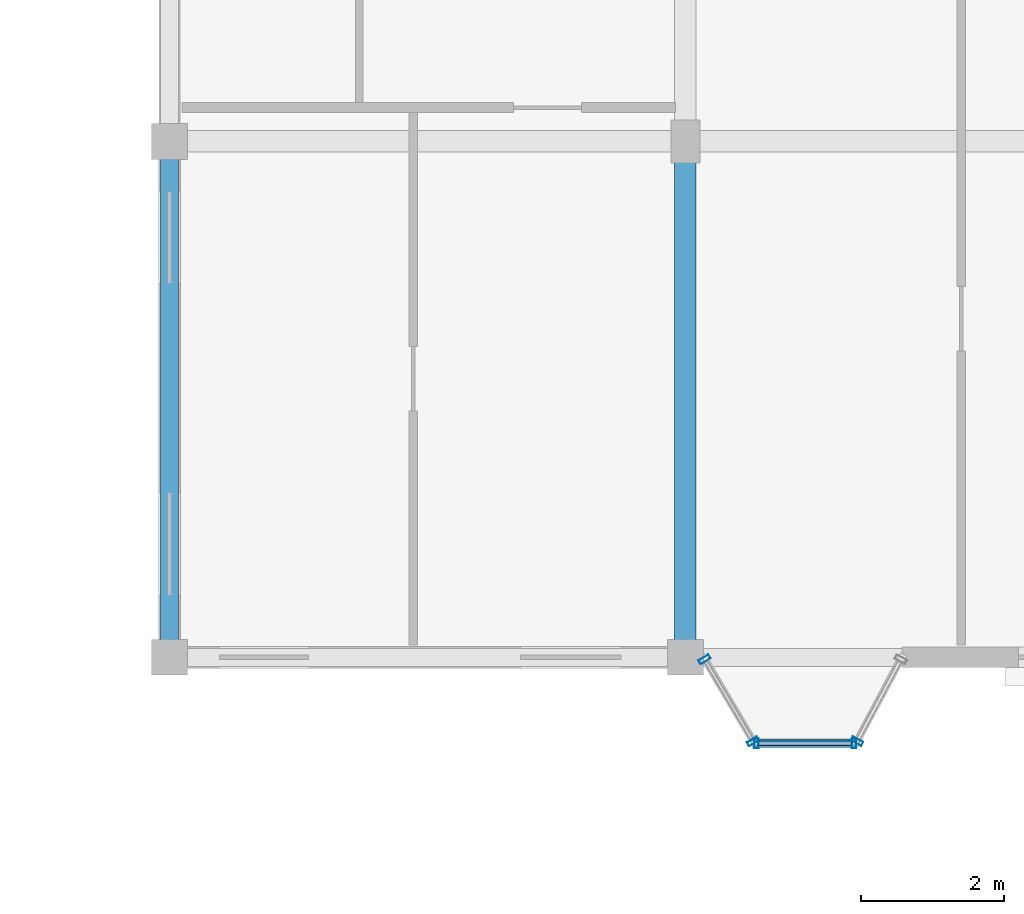
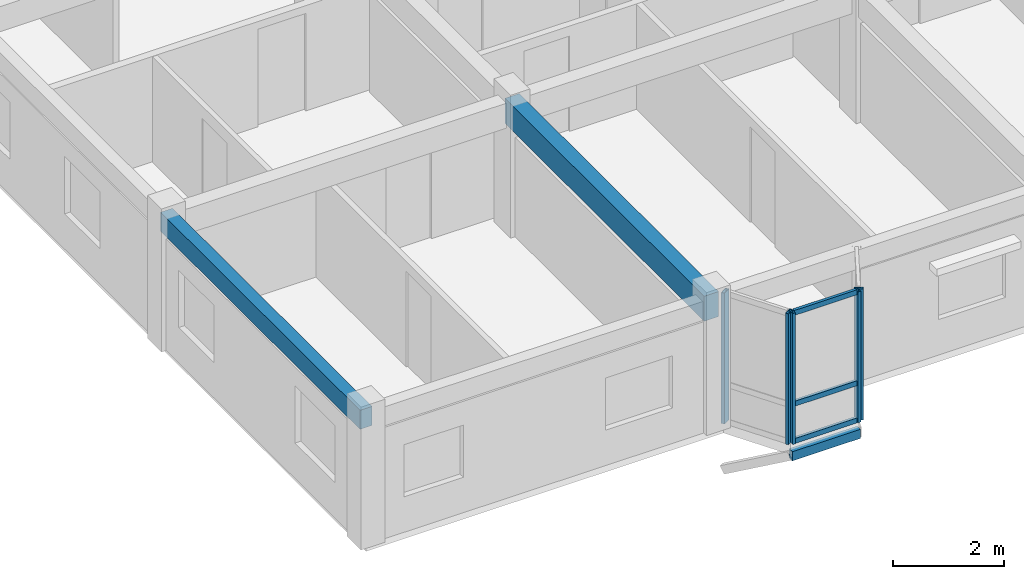
# One storey, part 27 of 65: 9 members, 2 beams, 3 elements without a shape of their own.
"""IFC4 building model written with IfcOpenShell, lengths in metres."""

from ifc_helpers import new_model, si_unit, direction, frame, origin, origin_2d, place, context, subcontext, project, spatial, rectangle, hollow_rectangle, extrude, material, layer, layer_set, material_profile, profile_set, type_object, element, aggregate, save


model = new_model("IFC4")

# Units and contexts
model_context = context("Model", 3, precision=1e-05, world=origin(), true_north=direction((0.0, 1.0)))
body_context = subcontext(model_context, "Body", "Model", "MODEL_VIEW")
ifc_project = project(units=[si_unit("LENGTHUNIT", "METRE"), si_unit("AREAUNIT", "SQUARE_METRE"), si_unit("VOLUMEUNIT", "CUBIC_METRE"), si_unit("PLANEANGLEUNIT", "RADIAN"), si_unit("MASSUNIT", "GRAM", prefix="KILO"), si_unit("THERMODYNAMICTEMPERATUREUNIT", "KELVIN"), si_unit("POWERUNIT", "WATT")], contexts=[model_context])

# Site, building, storey
site_placement = place(None, origin())
site = spatial("IfcSite", under=ifc_project, at=site_placement, CompositionType="ELEMENT")
building_placement = place(site_placement, origin())
building = spatial("IfcBuilding", under=site, at=building_placement, Name="Tavuni Mirador Residences", CompositionType="ELEMENT")
storey_placement = place(building_placement, frame((0.0, 0.0, 29.699951171875)))
storey = spatial("IfcBuildingStorey", under=building, at=storey_placement, Name="L09", CompositionType="ELEMENT", Elevation=29.699951171875)

# Beams
ifc_material_1 = material(Name="Precast concrete C40/50", Category="concrete")
ifc_material_profile_1 = material_profile(ifc_material_1, rectangle(XDim=0.300048828125, YDim=0.550048828125, at=origin_2d()), Name="PC 300x550", Category="concrete")
ifc_profile_set_1 = profile_set([ifc_material_profile_1], Name="Precast concrete C40/50")
beam_type_1 = type_object("IfcBeamType", Name="BT-B550", PredefinedType="BEAM", material=ifc_profile_set_1)
beam_1_placement = place(storey_placement, frame((18.0, 144.0, 2.610107421875), z_axis=(0.0, 1.0, 0.0), x_axis=(-1.0, 0.0, 0.0)))
element("IfcBeam", 1, at=beam_1_placement, inside=storey, type_object=beam_type_1, Name="BMY-BLK-C-L09-01-00", PredefinedType="BEAM", context=body_context, shape_type="SweptSolid", body=[
    extrude(rectangle(XDim=0.300048828125, YDim=0.550048828125, at=origin_2d()), origin(), (0.0, 0.0, 1.0), 7.199951171875),
])
ifc_material_profile_2 = material_profile(ifc_material_1, rectangle(XDim=0.25, YDim=0.419921875, at=origin_2d()), Name="PC 250x420", Category="concrete")
ifc_profile_set_2 = profile_set([ifc_material_profile_2], Name="Precast concrete C40/50")
beam_type_2 = type_object("IfcBeamType", Name="BT-SP420", PredefinedType="SPANDREL", material=ifc_profile_set_2)
beam_2_placement = place(storey_placement, frame((10.800048828125, 144.0, 2.675048828125), z_axis=(0.0, 1.0, 0.0), x_axis=(-1.0, 0.0, 0.0)))
element("IfcBeam", 2, at=beam_2_placement, inside=storey, type_object=beam_type_2, Name="BMY-BLK-C-L09-00-00", PredefinedType="SPANDREL", context=body_context, shape_type="SweptSolid", body=[
    extrude(rectangle(XDim=0.25, YDim=0.419921875, at=origin_2d()), origin(), (0.0, 0.0, 1.0), 7.199951171875),
])

# Curtain wall, members
ifc_material_2 = material(Name="Anodised aluminium", Category="aluminium")
ifc_layer_1 = layer(ifc_material_2, 0.175048828125, Name="Anodised aluminium", Category="aluminium")
ifc_layer_set_1 = layer_set([ifc_layer_1], Name="Anodised aluminium")
curtain_wall_type_1 = type_object("IfcCurtainWallType", Name="CWT-MIR-C", PredefinedType="NOTDEFINED", material=ifc_layer_set_1)
curtain_wall_1_placement = place(storey_placement, origin())
curtain_wall_1 = element("IfcCurtainWall", 3, at=curtain_wall_1_placement, inside=storey, type_object=curtain_wall_type_1, Name="CW-MIR-C-S1-L09-MF", PredefinedType="NOTDEFINED")
ifc_material_profile_3 = material_profile(ifc_material_2, hollow_rectangle(XDim=0.06005859375, YDim=0.139892578125, WallThickness=0.00390625, at=origin_2d()), Name="ALU 60x140x4.0", Category="aluminium")
ifc_profile_set_3 = profile_set([ifc_material_profile_3], Name="Anodised aluminium")
member_type_1 = type_object("IfcMemberType", Name="CWM-140", PredefinedType="MULLION", material=ifc_profile_set_3)
member_1_placement = place(storey_placement, frame((18.989990234375, 142.800048828125, 0.0), z_axis=(0.0, 0.0, 1.0), x_axis=(1.0, 0.0, 0.0)))
member_1 = element("IfcMember", 4, at=member_1_placement, type_object=member_type_1, Name="CW-03 mullion 1", PredefinedType="MULLION", context=body_context, shape_type="SweptSolid", body=[
    extrude(hollow_rectangle(XDim=0.06005859375, YDim=0.139892578125, WallThickness=0.00390625, at=origin_2d()), origin(), (0.0, 0.0, 1.0), 2.885009765625),
])
member_2_placement = place(storey_placement, frame((20.35009765625, 142.800048828125, 0.0), z_axis=(0.0, 0.0, 1.0), x_axis=(1.0, 0.0, 0.0)))
member_2 = element("IfcMember", 5, at=member_2_placement, type_object=member_type_1, Name="CW-03 mullion 2", PredefinedType="MULLION", context=body_context, shape_type="SweptSolid", body=[
    extrude(hollow_rectangle(XDim=0.06005859375, YDim=0.139892578125, WallThickness=0.00390625, at=origin_2d()), origin(), (0.0, 0.0, 1.0), 2.885009765625),
])

ifc_layer_2 = layer(ifc_material_2, 0.14990234375, Name="Anodised aluminium", Category="aluminium")
ifc_layer_set_2 = layer_set([ifc_layer_2], Name="Anodised aluminium")
curtain_wall_type_2 = type_object("IfcCurtainWallType", Name="CWT-MIR-B", PredefinedType="NOTDEFINED", material=ifc_layer_set_2)
curtain_wall_2_placement = place(storey_placement, origin())
curtain_wall_2 = element("IfcCurtainWall", 6, at=curtain_wall_2_placement, inside=storey, type_object=curtain_wall_type_2, Name="CW-MIR-C-S1-L09-M1", PredefinedType="NOTDEFINED")
ifc_material_profile_4 = material_profile(ifc_material_2, hollow_rectangle(XDim=0.06494140625, YDim=0.1650390625, WallThickness=0.00439453125, at=origin_2d()), Name="ALU 65x165x4.5", Category="aluminium")
ifc_profile_set_4 = profile_set([ifc_material_profile_4], Name="Anodised aluminium")
member_type_2 = type_object("IfcMemberType", Name="CWM-165", PredefinedType="MULLION", material=ifc_profile_set_4)
member_3_placement = place(storey_placement, frame((18.2666015625, 143.971923828125, 0.0), z_axis=(0.0, 0.0, 1.0), x_axis=(0.509212491254, -0.860640830284, 0.0)))
member_3 = element("IfcMember", 7, at=member_3_placement, type_object=member_type_2, Name="CW-02 mullion 1", PredefinedType="MULLION", context=body_context, shape_type="SweptSolid", body=[
    extrude(hollow_rectangle(XDim=0.06494140625, YDim=0.1650390625, WallThickness=0.00439453125, at=origin_2d()), origin(), (0.0, 0.0, 1.0), 2.885009765625),
])
member_4_placement = place(storey_placement, frame((18.943359375, 142.827880859375, 0.0), z_axis=(0.0, 0.0, 1.0), x_axis=(0.509212491254, -0.860640830284, 0.0)))
member_4 = element("IfcMember", 8, at=member_4_placement, type_object=member_type_2, Name="CW-02 mullion 2", PredefinedType="MULLION", context=body_context, shape_type="SweptSolid", body=[
    extrude(hollow_rectangle(XDim=0.06494140625, YDim=0.1650390625, WallThickness=0.00439453125, at=origin_2d()), origin(), (0.0, 0.0, 1.0), 2.885009765625),
])
aggregate(curtain_wall_2, [member_3, member_4])

# Curtain wall, member
ifc_layer_3 = layer(ifc_material_2, 0.159912109375, Name="Anodised aluminium", Category="aluminium")
ifc_layer_set_3 = layer_set([ifc_layer_3], Name="Anodised aluminium")
curtain_wall_type_3 = type_object("IfcCurtainWallType", Name="CWT-MIR-D", PredefinedType="NOTDEFINED", material=ifc_layer_set_3)
curtain_wall_3_placement = place(storey_placement, origin())
curtain_wall_3 = element("IfcCurtainWall", 9, at=curtain_wall_3_placement, inside=storey, type_object=curtain_wall_type_3, Name="CW-MIR-C-S1-L09-M2", PredefinedType="NOTDEFINED")
member_5_placement = place(storey_placement, frame((20.395263671875, 142.82861328125, 0.0), z_axis=(0.0, 0.0, 1.0), x_axis=(0.470588235296, 0.882352941175, 0.0)))
member_5 = element("IfcMember", 10, at=member_5_placement, type_object=member_type_2, Name="CW-04 mullion 1", PredefinedType="MULLION", context=body_context, shape_type="SweptSolid", body=[
    extrude(hollow_rectangle(XDim=0.06494140625, YDim=0.1650390625, WallThickness=0.00439453125, at=origin_2d()), origin(), (0.0, 0.0, 1.0), 2.885009765625),
])
aggregate(curtain_wall_3, [member_5])

# Member
ifc_material_profile_5 = material_profile(ifc_material_2, hollow_rectangle(XDim=0.06005859375, YDim=0.110107421875, WallThickness=0.00390625, at=origin_2d()), Name="ALU 60x110x4.0", Category="aluminium")
ifc_profile_set_5 = profile_set([ifc_material_profile_5], Name="Anodised aluminium")
member_type_3 = type_object("IfcMemberType", Name="CWT-110", PredefinedType="USERDEFINED", material=ifc_profile_set_5)
member_6_placement = place(storey_placement, frame((19.02001953125, 142.800048828125, 0.030029296875), z_axis=(1.0, 0.0, 0.0), x_axis=(0.0, 1.0, 0.0)))
member_6 = element("IfcMember", 11, at=member_6_placement, type_object=member_type_3, Name="CW-03 transom 1.1", ObjectType="TRANSOM", PredefinedType="USERDEFINED", context=body_context, shape_type="SweptSolid", body=[
    extrude(hollow_rectangle(XDim=0.06005859375, YDim=0.110107421875, WallThickness=0.00390625, at=origin_2d()), origin(), (0.0, 0.0, 1.0), 1.300048828125),
])

member_7_placement = place(storey_placement, frame((19.02001953125, 142.800048828125, 0.85009765625), z_axis=(1.0, 0.0, 0.0), x_axis=(0.0, 1.0, 0.0)))
member_7 = element("IfcMember", 12, at=member_7_placement, type_object=member_type_3, Name="CW-03 transom 1.2", ObjectType="TRANSOM", PredefinedType="USERDEFINED", context=body_context, shape_type="SweptSolid", body=[
    extrude(hollow_rectangle(XDim=0.06005859375, YDim=0.110107421875, WallThickness=0.00390625, at=origin_2d()), origin(), (0.0, 0.0, 1.0), 1.300048828125),
])

member_8_placement = place(storey_placement, frame((19.02001953125, 142.800048828125, 2.85498046875), z_axis=(1.0, 0.0, 0.0), x_axis=(0.0, 1.0, 0.0)))
member_8 = element("IfcMember", 13, at=member_8_placement, type_object=member_type_3, Name="CW-03 transom 1.3", ObjectType="TRANSOM", PredefinedType="USERDEFINED", context=body_context, shape_type="SweptSolid", body=[
    extrude(hollow_rectangle(XDim=0.06005859375, YDim=0.110107421875, WallThickness=0.00390625, at=origin_2d()), origin(), (0.0, 0.0, 1.0), 1.300048828125),
])

aggregate(curtain_wall_1, [member_1, member_2, member_6, member_7, member_8])

ifc_material_3 = material(Name="Structural steel S355", Category="steel")
ifc_material_profile_6 = material_profile(ifc_material_3, hollow_rectangle(XDim=0.1201171875, YDim=0.199951171875, WallThickness=0.010009765625, at=origin_2d()), Name="RHS 200x120x10.0", Category="steel")
ifc_profile_set_6 = profile_set([ifc_material_profile_6], Name="Structural steel S355")
member_type_4 = type_object("IfcMemberType", Name="MT-ST-RHS200", PredefinedType="STRUT", material=ifc_profile_set_6)
member_9_placement = place(storey_placement, frame((18.9599609375, 142.800048828125, -0.264892578125), z_axis=(1.0, 0.0, 0.0), x_axis=(0.0, 1.0, 0.0)))
element("IfcMember", 14, at=member_9_placement, inside=storey, type_object=member_type_4, Name="MRIM-MIR-C-S1-L09", PredefinedType="STRUT", context=body_context, shape_type="SweptSolid", body=[
    extrude(hollow_rectangle(XDim=0.1201171875, YDim=0.199951171875, WallThickness=0.010009765625, at=origin_2d()), origin(), (0.0, 0.0, 1.0), 1.419921875),
])

save(model, "model.ifc")
